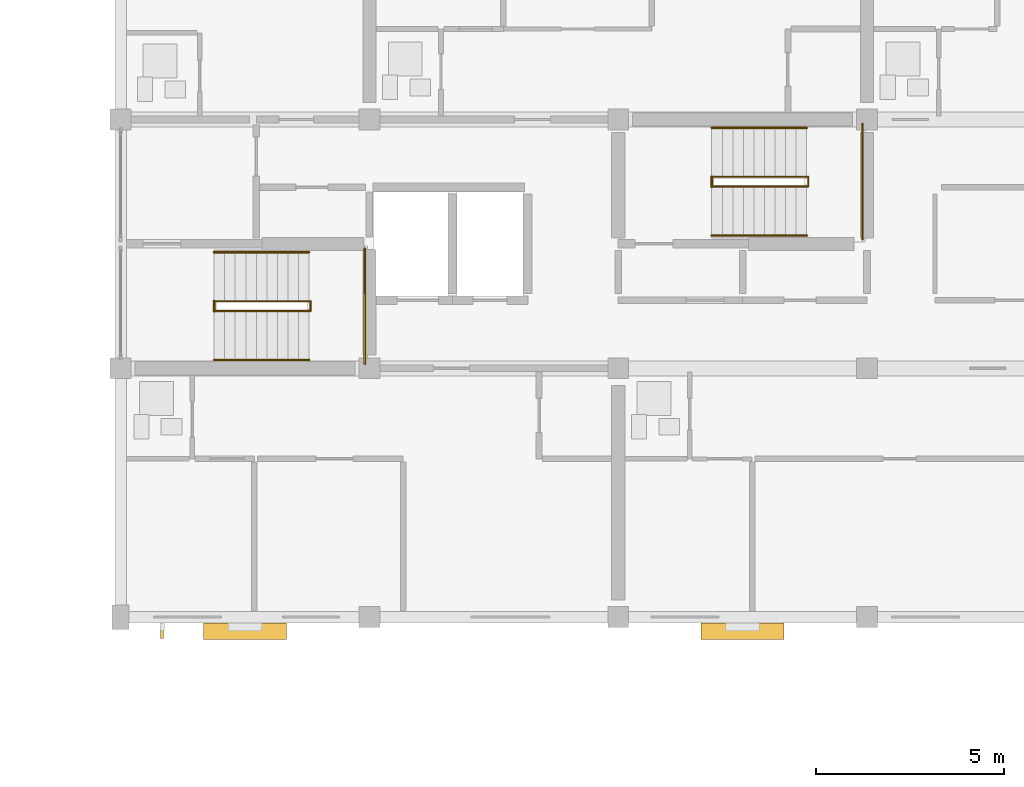
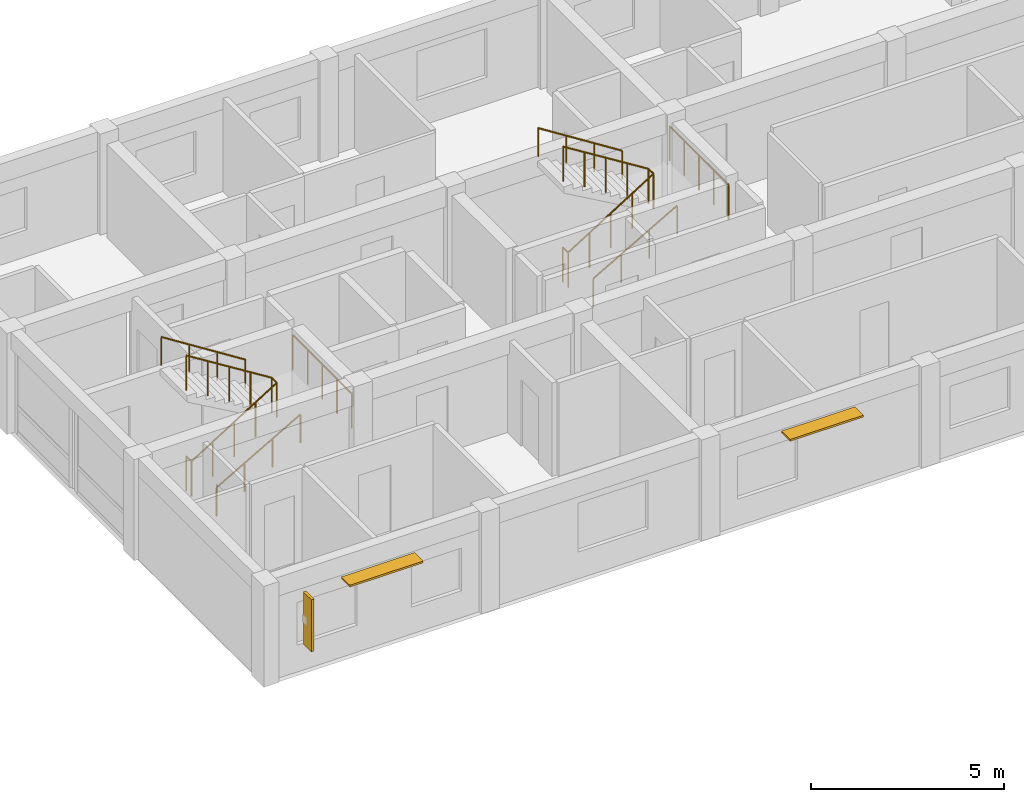
# One storey, part 50 of 52: 10 railings, 3 shading devices.
"""IFC4 building model written with IfcOpenShell, lengths in metres."""

from ifc_helpers import new_model, si_unit, direction, frame, origin, origin_2d, place, context, subcontext, project, spatial, rectangle, circle, extrude, material, layer, layer_set, type_object, element, save


model = new_model("IFC4")

# Units and contexts
model_context = context("Model", 3, precision=1e-05, world=origin(), true_north=direction((0.0, 1.0)))
body_context = subcontext(model_context, "Body", "Model", "MODEL_VIEW")
ifc_project = project(units=[si_unit("LENGTHUNIT", "METRE"), si_unit("AREAUNIT", "SQUARE_METRE"), si_unit("VOLUMEUNIT", "CUBIC_METRE"), si_unit("PLANEANGLEUNIT", "RADIAN"), si_unit("MASSUNIT", "GRAM", prefix="KILO")], contexts=[model_context])

# Site, building, storey
site_placement = place(None, origin())
site = spatial("IfcSite", under=ifc_project, at=site_placement, CompositionType="ELEMENT")
building_placement = place(site_placement, origin())
building = spatial("IfcBuilding", under=site, at=building_placement, Name="Kernevlak Ridge Housing Community", CompositionType="ELEMENT")
storey_placement = place(building_placement, frame((0.0, 0.0, 11.60009765625)))
storey = spatial("IfcBuildingStorey", under=building, at=storey_placement, Name="L03", CompositionType="ELEMENT", Elevation=11.60009765625)

# Railings
ifc_material_1 = material(Name="Steel S355", Category="steel")
railing_type_1 = type_object("IfcRailingType", Name="GR-02", PredefinedType="GUARDRAIL", material=ifc_material_1)
railing_1_placement = place(storey_placement, frame((121.8798828125, 90.7099609375, 0.0)))
element("IfcRailing", 1, at=railing_1_placement, inside=storey, type_object=railing_type_1, Name="Stair ST-B1 L03 well slot guard", PredefinedType="GUARDRAIL", context=body_context, shape_type="SweptSolid", body=[
    extrude(circle(Radius=0.02392578125, at=origin_2d()), frame((0.0, 0.0, 1.09619140625), z_axis=(0.0, 1.0, 0.0), x_axis=(-1.0, 0.0, 0.0)), (0.0, 0.0, 1.0), 0.280029296875),
    extrude(circle(Radius=0.02099609375, at=origin_2d()), origin(), (0.0, 0.0, 1.0), 1.072021484375),
    extrude(circle(Radius=0.02099609375, at=origin_2d()), frame((0.0, 0.280029296875, 0.0)), (0.0, 0.0, 1.0), 1.072021484375),
])
railing_2_placement = place(storey_placement, frame((121.8798828125, 90.719970703125, 0.0)))
element("IfcRailing", 2, at=railing_2_placement, inside=storey, type_object=railing_type_1, Name="Stair ST-B1 L03 inner well guardrail", PredefinedType="GUARDRAIL", context=body_context, shape_type="SweptSolid", body=[
    extrude(circle(Radius=0.02392578125, at=origin_2d()), frame((0.0, 0.0, 1.09619140625), z_axis=(0.848025563165, 0.0, 0.529955322851), x_axis=(0.0, 1.0, 0.0)), (0.0, 0.0, 1.0), 3.018798828125),
    extrude(circle(Radius=0.02392578125, at=origin_2d()), frame((2.56005859375, 0.0, 2.69580078125), z_axis=(0.0, 1.0, 0.0), x_axis=(-1.0, 0.0, 0.0)), (0.0, 0.0, 1.0), 0.260009765625),
    extrude(circle(Radius=0.02392578125, at=origin_2d()), frame((2.56005859375, 0.260009765625, 2.69580078125), z_axis=(-0.847989217509, 0.0, 0.530013478119), x_axis=(0.0, -1.0, 0.0)), (0.0, 0.0, 1.0), 3.01904296875),
    extrude(circle(Radius=0.02099609375, at=origin_2d()), origin(), (0.0, 0.0, 1.0), 1.072021484375),
    extrude(circle(Radius=0.02099609375, at=origin_2d()), frame((0.64013671875, 0.0, 0.39990234375)), (0.0, 0.0, 1.0), 1.072021484375),
    extrude(circle(Radius=0.02099609375, at=origin_2d()), frame((1.280029296875, 0.0, 0.7998046875)), (0.0, 0.0, 1.0), 1.072021484375),
    extrude(circle(Radius=0.02099609375, at=origin_2d()), frame((1.919921875, 0.0, 1.199951171875)), (0.0, 0.0, 1.0), 1.072021484375),
    extrude(circle(Radius=0.02099609375, at=origin_2d()), frame((2.56005859375, 0.0, 1.599853515625)), (0.0, 0.0, 1.0), 1.072021484375),
    extrude(circle(Radius=0.02099609375, at=origin_2d()), frame((2.56005859375, 0.260009765625, 1.599853515625)), (0.0, 0.0, 1.0), 1.072021484375),
    extrude(circle(Radius=0.02099609375, at=origin_2d()), frame((1.919921875, 0.260009765625, 2.0)), (0.0, 0.0, 1.0), 1.072021484375),
    extrude(circle(Radius=0.02099609375, at=origin_2d()), frame((1.280029296875, 0.260009765625, 2.39990234375)), (0.0, 0.0, 1.0), 1.072021484375),
    extrude(circle(Radius=0.02099609375, at=origin_2d()), frame((0.64013671875, 0.260009765625, 2.7998046875)), (0.0, 0.0, 1.0), 1.072021484375),
    extrude(circle(Radius=0.02099609375, at=origin_2d()), frame((0.0, 0.260009765625, 3.199951171875)), (0.0, 0.0, 1.0), 1.072021484375),
])
railing_3_placement = place(storey_placement, frame((125.8798828125, 89.320068359375, 1.599853515625)))
element("IfcRailing", 3, at=railing_3_placement, inside=storey, type_object=railing_type_1, Name="Stair ST-B1 L03 half-landing guard", PredefinedType="GUARDRAIL", context=body_context, shape_type="SweptSolid", body=[
    extrude(circle(Radius=0.02392578125, at=origin_2d()), frame((0.0, 0.0, 1.09619140625), z_axis=(0.0, 1.0, 0.0), x_axis=(-1.0, 0.0, 0.0)), (0.0, 0.0, 1.0), 3.059814453125),
    extrude(circle(Radius=0.02099609375, at=origin_2d()), origin(), (0.0, 0.0, 1.0), 1.072021484375),
    extrude(circle(Radius=0.02099609375, at=origin_2d()), frame((0.0, 0.764892578125, 0.0)), (0.0, 0.0, 1.0), 1.072021484375),
    extrude(circle(Radius=0.02099609375, at=origin_2d()), frame((0.0, 1.52978515625, 0.0)), (0.0, 0.0, 1.0), 1.072021484375),
    extrude(circle(Radius=0.02099609375, at=origin_2d()), frame((0.0, 2.294921875, 0.0)), (0.0, 0.0, 1.0), 1.072021484375),
    extrude(circle(Radius=0.02099609375, at=origin_2d()), frame((0.0, 3.059814453125, 0.0)), (0.0, 0.0, 1.0), 1.072021484375),
])
railing_4_placement = place(storey_placement, frame((135.080078125, 94.010009765625, 0.0)))
element("IfcRailing", 4, at=railing_4_placement, inside=storey, type_object=railing_type_1, Name="Stair ST-B2 L03 well slot guard", PredefinedType="GUARDRAIL", context=body_context, shape_type="SweptSolid", body=[
    extrude(circle(Radius=0.02392578125, at=origin_2d()), frame((0.0, 0.0, 1.09619140625), z_axis=(0.0, 1.0, 0.0), x_axis=(-1.0, 0.0, 0.0)), (0.0, 0.0, 1.0), 0.280029296875),
    extrude(circle(Radius=0.02099609375, at=origin_2d()), origin(), (0.0, 0.0, 1.0), 1.072021484375),
    extrude(circle(Radius=0.02099609375, at=origin_2d()), frame((0.0, 0.280029296875, 0.0)), (0.0, 0.0, 1.0), 1.072021484375),
])
railing_5_placement = place(storey_placement, frame((135.080078125, 94.02001953125, 0.0)))
element("IfcRailing", 5, at=railing_5_placement, inside=storey, type_object=railing_type_1, Name="Stair ST-B2 L03 inner well guardrail", PredefinedType="GUARDRAIL", context=body_context, shape_type="SweptSolid", body=[
    extrude(circle(Radius=0.02392578125, at=origin_2d()), frame((0.0, 0.0, 1.09619140625), z_axis=(0.848002847666, 0.0, 0.529991670077), x_axis=(0.0, 1.0, 0.0)), (0.0, 0.0, 1.0), 3.0185546875),
    extrude(circle(Radius=0.02392578125, at=origin_2d()), frame((2.559814453125, 0.0, 2.69580078125), z_axis=(0.0, 1.0, 0.0), x_axis=(-1.0, 0.0, 0.0)), (0.0, 0.0, 1.0), 0.260009765625),
    extrude(circle(Radius=0.02392578125, at=origin_2d()), frame((2.559814453125, 0.260009765625, 2.69580078125), z_axis=(-0.847966497998, 0.0, 0.530049826217), x_axis=(0.0, -1.0, 0.0)), (0.0, 0.0, 1.0), 3.018798828125),
    extrude(circle(Radius=0.02099609375, at=origin_2d()), origin(), (0.0, 0.0, 1.0), 1.072021484375),
    extrude(circle(Radius=0.02099609375, at=origin_2d()), frame((0.639892578125, 0.0, 0.39990234375)), (0.0, 0.0, 1.0), 1.072021484375),
    extrude(circle(Radius=0.02099609375, at=origin_2d()), frame((1.27978515625, 0.0, 0.7998046875)), (0.0, 0.0, 1.0), 1.072021484375),
    extrude(circle(Radius=0.02099609375, at=origin_2d()), frame((1.919921875, 0.0, 1.199951171875)), (0.0, 0.0, 1.0), 1.072021484375),
    extrude(circle(Radius=0.02099609375, at=origin_2d()), frame((2.559814453125, 0.0, 1.599853515625)), (0.0, 0.0, 1.0), 1.072021484375),
    extrude(circle(Radius=0.02099609375, at=origin_2d()), frame((2.559814453125, 0.260009765625, 1.599853515625)), (0.0, 0.0, 1.0), 1.072021484375),
    extrude(circle(Radius=0.02099609375, at=origin_2d()), frame((1.919921875, 0.260009765625, 2.0)), (0.0, 0.0, 1.0), 1.072021484375),
    extrude(circle(Radius=0.02099609375, at=origin_2d()), frame((1.27978515625, 0.260009765625, 2.39990234375)), (0.0, 0.0, 1.0), 1.072021484375),
    extrude(circle(Radius=0.02099609375, at=origin_2d()), frame((0.639892578125, 0.260009765625, 2.7998046875)), (0.0, 0.0, 1.0), 1.072021484375),
    extrude(circle(Radius=0.02099609375, at=origin_2d()), frame((0.0, 0.260009765625, 3.199951171875)), (0.0, 0.0, 1.0), 1.072021484375),
])
railing_6_placement = place(storey_placement, frame((139.080078125, 92.6201171875, 1.599853515625)))
element("IfcRailing", 6, at=railing_6_placement, inside=storey, type_object=railing_type_1, Name="Stair ST-B2 L03 half-landing guard", PredefinedType="GUARDRAIL", context=body_context, shape_type="SweptSolid", body=[
    extrude(circle(Radius=0.02392578125, at=origin_2d()), frame((0.0, 0.0, 1.09619140625), z_axis=(0.0, 1.0, 0.0), x_axis=(-1.0, 0.0, 0.0)), (0.0, 0.0, 1.0), 3.059814453125),
    extrude(circle(Radius=0.02099609375, at=origin_2d()), origin(), (0.0, 0.0, 1.0), 1.072021484375),
    extrude(circle(Radius=0.02099609375, at=origin_2d()), frame((0.0, 0.764892578125, 0.0)), (0.0, 0.0, 1.0), 1.072021484375),
    extrude(circle(Radius=0.02099609375, at=origin_2d()), frame((0.0, 1.52978515625, 0.0)), (0.0, 0.0, 1.0), 1.072021484375),
    extrude(circle(Radius=0.02099609375, at=origin_2d()), frame((0.0, 2.294921875, 0.0)), (0.0, 0.0, 1.0), 1.072021484375),
    extrude(circle(Radius=0.02099609375, at=origin_2d()), frame((0.0, 3.059814453125, 0.0)), (0.0, 0.0, 1.0), 1.072021484375),
])
ifc_material_2 = material(Name="Stainless steel EN 1.4401", Category="steel")
railing_type_2 = type_object("IfcRailingType", Name="HR-01", PredefinedType="HANDRAIL", material=ifc_material_2)
railing_7_placement = place(storey_placement, frame((121.8798828125, 89.419921875, 0.159912109375)))
element("IfcRailing", 7, at=railing_7_placement, inside=storey, type_object=railing_type_2, Name="Stair ST-B1 L03 flight 1 handrail", PredefinedType="HANDRAIL", context=body_context, shape_type="SweptSolid", body=[
    extrude(circle(Radius=0.02392578125, at=origin_2d()), frame((0.0, 0.0, 0.89599609375), z_axis=(0.868253494771, 0.0, 0.496120820787), x_axis=(0.0, 1.0, 0.0)), (0.0, 0.0, 1.0), 2.90234375),
    extrude(circle(Radius=0.02099609375, at=origin_2d()), origin(), (0.0, 0.0, 1.0), 0.871826171875),
    extrude(circle(Radius=0.02099609375, at=origin_2d()), frame((0.840087890625, 0.0, 0.47998046875)), (0.0, 0.0, 1.0), 0.871826171875),
    extrude(circle(Radius=0.02099609375, at=origin_2d()), frame((1.679931640625, 0.0, 0.9599609375)), (0.0, 0.0, 1.0), 0.871826171875),
    extrude(circle(Radius=0.02099609375, at=origin_2d()), frame((2.52001953125, 0.0, 1.43994140625)), (0.0, 0.0, 1.0), 0.871826171875),
])
railing_8_placement = place(storey_placement, frame((124.39990234375, 92.280029296875, 1.599853515625)))
element("IfcRailing", 8, at=railing_8_placement, inside=storey, type_object=railing_type_2, Name="Stair ST-B1 L03 flight 2 handrail", PredefinedType="HANDRAIL", context=body_context, shape_type="SweptSolid", body=[
    extrude(circle(Radius=0.02392578125, at=origin_2d()), frame((0.0, 0.0, 0.89599609375), z_axis=(-0.844199891302, 0.0, 0.536028491338), x_axis=(0.0, -1.0, 0.0)), (0.0, 0.0, 1.0), 2.985107421875),
    extrude(circle(Radius=0.02099609375, at=origin_2d()), origin(), (0.0, 0.0, 1.0), 0.871826171875),
    extrude(circle(Radius=0.02099609375, at=origin_2d()), frame((-0.840087890625, 0.0, 0.533447265625)), (0.0, 0.0, 1.0), 0.871826171875),
    extrude(circle(Radius=0.02099609375, at=origin_2d()), frame((-1.679931640625, 0.0, 1.066650390625)), (0.0, 0.0, 1.0), 0.871826171875),
    extrude(circle(Radius=0.02099609375, at=origin_2d()), frame((-2.52001953125, 0.0, 1.60009765625)), (0.0, 0.0, 1.0), 0.871826171875),
])
railing_9_placement = place(storey_placement, frame((135.080078125, 92.719970703125, 0.159912109375)))
element("IfcRailing", 9, at=railing_9_placement, inside=storey, type_object=railing_type_2, Name="Stair ST-B2 L03 flight 1 handrail", PredefinedType="HANDRAIL", context=body_context, shape_type="SweptSolid", body=[
    extrude(circle(Radius=0.02392578125, at=origin_2d()), frame((0.0, 0.0, 0.89599609375), z_axis=(0.868253494771, 0.0, 0.496120820787), x_axis=(0.0, 1.0, 0.0)), (0.0, 0.0, 1.0), 2.90234375),
    extrude(circle(Radius=0.02099609375, at=origin_2d()), origin(), (0.0, 0.0, 1.0), 0.871826171875),
    extrude(circle(Radius=0.02099609375, at=origin_2d()), frame((0.840087890625, 0.0, 0.47998046875)), (0.0, 0.0, 1.0), 0.871826171875),
    extrude(circle(Radius=0.02099609375, at=origin_2d()), frame((1.679931640625, 0.0, 0.9599609375)), (0.0, 0.0, 1.0), 0.871826171875),
    extrude(circle(Radius=0.02099609375, at=origin_2d()), frame((2.52001953125, 0.0, 1.43994140625)), (0.0, 0.0, 1.0), 0.871826171875),
])
railing_10_placement = place(storey_placement, frame((137.60009765625, 95.580078125, 1.599853515625)))
element("IfcRailing", 10, at=railing_10_placement, inside=storey, type_object=railing_type_2, Name="Stair ST-B2 L03 flight 2 handrail", PredefinedType="HANDRAIL", context=body_context, shape_type="SweptSolid", body=[
    extrude(circle(Radius=0.02392578125, at=origin_2d()), frame((0.0, 0.0, 0.89599609375), z_axis=(-0.844199891302, 0.0, 0.536028491338), x_axis=(0.0, -1.0, 0.0)), (0.0, 0.0, 1.0), 2.985107421875),
    extrude(circle(Radius=0.02099609375, at=origin_2d()), origin(), (0.0, 0.0, 1.0), 0.871826171875),
    extrude(circle(Radius=0.02099609375, at=origin_2d()), frame((-0.840087890625, 0.0, 0.533447265625)), (0.0, 0.0, 1.0), 0.871826171875),
    extrude(circle(Radius=0.02099609375, at=origin_2d()), frame((-1.679931640625, 0.0, 1.066650390625)), (0.0, 0.0, 1.0), 0.871826171875),
    extrude(circle(Radius=0.02099609375, at=origin_2d()), frame((-2.52001953125, 0.0, 1.60009765625)), (0.0, 0.0, 1.0), 0.871826171875),
])

# Shading devices
ifc_material_3 = material(Name="Aluminium EN AW-6060 anodised", Category="aluminium")
ifc_layer = layer(ifc_material_3, 0.06005859375, Name="Aluminium EN AW-6060 anodised")
ifc_layer_set = layer_set([ifc_layer], Name="Aluminium EN AW-6060 anodised")
shading_device_type_1 = type_object("IfcShadingDeviceType", Name="LV-01", PredefinedType="JALOUSIE", material=ifc_layer_set)
for number, where, z_axis, x_axis, name in (
    (11, (122.699951171875, 82.22998046875, 2.489990234375), (0.0, 0.0, 1.0), (1.0, 0.0, 0.0), "Horizontal solar louvre 17"),
    (12, (135.89990234375, 82.22998046875, 2.489990234375), (0.0, 0.0, 1.0), (1.0, 0.0, 0.0), "Horizontal solar louvre 18"),
):
    element("IfcShadingDevice", number, at=place(storey_placement, frame(where, z_axis=z_axis, x_axis=x_axis)), inside=storey, type_object=shading_device_type_1, Name=name, PredefinedType="JALOUSIE", context=body_context, shape_type="SweptSolid", body=[
        extrude(rectangle(XDim=2.199951171875, YDim=0.43994140625, at=origin_2d()), origin(), (0.0, 0.0, 1.0), 0.06005859375),
    ])
ifc_material_4 = material(Name="Aluminium EN AW-6060 enamelled", Category="aluminium")
shading_device_type_2 = type_object("IfcShadingDeviceType", Name="LV-02", PredefinedType="USERDEFINED", material=ifc_material_4)
shading_device_placement = place(storey_placement, frame((120.5, 82.239990234375, 0.824951171875), z_axis=(0.0, 0.0, 1.0), x_axis=(1.0, 0.0, 0.0)))
element("IfcShadingDevice", 13, at=shading_device_placement, inside=storey, type_object=shading_device_type_2, Name="De Stijl yellow vertical solar fin 17", ObjectType="LOUVRE", PredefinedType="USERDEFINED", context=body_context, shape_type="SweptSolid", body=[
    extrude(rectangle(XDim=0.080078125, YDim=0.419921875, at=origin_2d()), origin(), (0.0, 0.0, 1.0), 1.64990234375),
])

save(model, "model.ifc")
